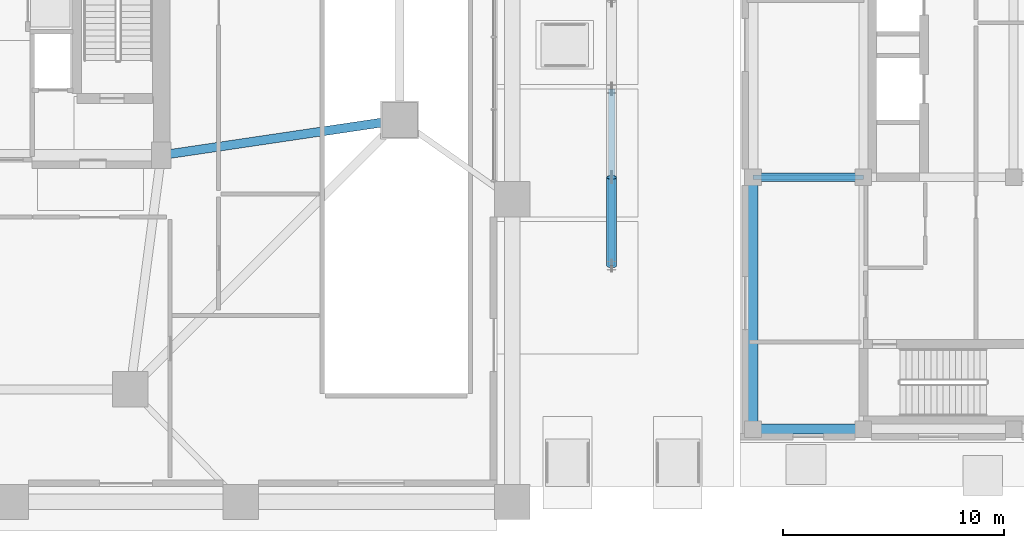
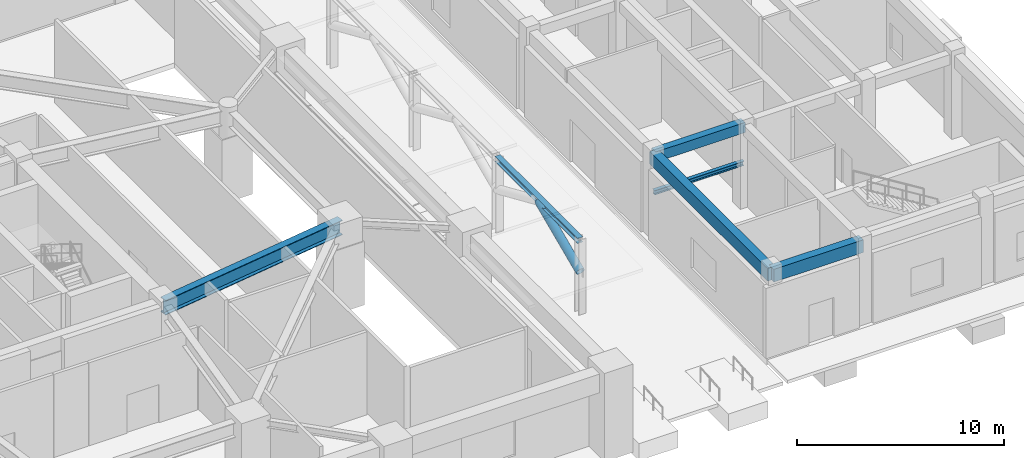
# One storey, part 11 of 27: 6 beams, 1 member.
"""IFC4 building model written with IfcOpenShell, lengths in metres."""

from ifc_helpers import new_model, si_unit, direction, frame, origin, origin_2d, place, context, subcontext, project, spatial, rectangle, hollow_circle, i_section, extrude, material, material_profile, profile_set, type_object, element, save


model = new_model("IFC4")

# Units and contexts
model_context = context("Model", 3, precision=1e-05, world=origin(), true_north=direction((0.0, 1.0)))
body_context = subcontext(model_context, "Body", "Model", "MODEL_VIEW")
ifc_project = project(units=[si_unit("LENGTHUNIT", "METRE"), si_unit("AREAUNIT", "SQUARE_METRE"), si_unit("VOLUMEUNIT", "CUBIC_METRE"), si_unit("PLANEANGLEUNIT", "RADIAN"), si_unit("MASSUNIT", "GRAM", prefix="KILO")], contexts=[model_context])

# Site, building, storey
site_placement = place(None, origin())
site = spatial("IfcSite", under=ifc_project, at=site_placement, CompositionType="ELEMENT")
building_placement = place(site_placement, origin())
building = spatial("IfcBuilding", under=site, at=building_placement, Name="Veraguas Prism Commons", CompositionType="ELEMENT")
storey_placement = place(building_placement, origin())
storey = spatial("IfcBuildingStorey", under=building, at=storey_placement, Name="L00", CompositionType="ELEMENT", Elevation=0.0)

# Beam
ifc_material_1 = material(Name="Concrete C50/60", Category="concrete")
ifc_material_profile_1 = material_profile(ifc_material_1, rectangle(XDim=0.39990234375, YDim=0.60009765625, at=origin_2d()), Name="RC400X600")
ifc_profile_set_1 = profile_set([ifc_material_profile_1], Name="Concrete C50/60")
beam_type_1 = type_object("IfcBeamType", Name="Clinic Secondary Beam RC 400x600", PredefinedType="BEAM", material=ifc_profile_set_1)
beam_1_placement = place(storey_placement, frame((57.60009765625, 16.0, 4.60009765625), z_axis=(1.0, 0.0, 0.0), x_axis=(0.0, 1.0, 0.0)))
element("IfcBeam", 1, at=beam_1_placement, inside=storey, type_object=beam_type_1, Name="Health Centre Beam L00-HCX04", PredefinedType="BEAM", context=body_context, shape_type="SweptSolid", body=[
    extrude(rectangle(XDim=0.39990234375, YDim=0.60009765625, at=origin_2d()), origin(), (0.0, 0.0, 1.0), 5.0),
])

# Member
ifc_material_2 = material(Name="Steel ASTM A500 Grade C", Category="steel")
ifc_material_profile_2 = material_profile(ifc_material_2, hollow_circle(Radius=0.228515625, WallThickness=0.02001953125, at=origin_2d()), Name="CHS457X20")
ifc_profile_set_2 = profile_set([ifc_material_profile_2], Name="Steel ASTM A500 Grade C")
member_type = type_object("IfcMemberType", Name="Concourse Canopy Brace CHS 457x20", PredefinedType="BRACE", material=ifc_profile_set_2)
member_placement = place(storey_placement, frame((51.199951171875, 12.0, 2.39990234375), z_axis=(0.0, 0.916157334902, 0.40081883402), x_axis=(-1.0, 0.0, 0.0)))
element("IfcMember", 2, at=member_placement, inside=storey, type_object=member_type, Name="Plaza Canopy Pipe Brace 01", PredefinedType="BRACE", context=body_context, shape_type="SweptSolid", body=[
    extrude(hollow_circle(Radius=0.228515625, WallThickness=0.02001953125, at=origin_2d()), origin(), (0.0, 0.0, 1.0), 4.365966796875),
])

# Beams
ifc_material_3 = material(Name="Steel ASTM A992 Grade 50", Category="steel")
ifc_material_profile_3 = material_profile(ifc_material_3, i_section(OverallWidth=0.403076171875, OverallDepth=0.867919921875, WebThickness=0.02099609375, FlangeThickness=0.03564453125, at=origin_2d()), Name="W840X359")
ifc_profile_set_3 = profile_set([ifc_material_profile_3], Name="Steel ASTM A992 Grade 50")
beam_type_2 = type_object("IfcBeamType", Name="Concourse Primary Girder W840x359", PredefinedType="BEAM", material=ifc_profile_set_3)
beam_2_placement = place(storey_placement, frame((41.60009765625, 18.60009765625, 4.466064453125), z_axis=(-0.989202261707, -0.146556765224, 0.0), x_axis=(0.146556765224, -0.989202261707, 0.0)))
element("IfcBeam", 3, at=beam_2_placement, inside=storey, type_object=beam_type_2, Name="Concourse Radial Girder L00-TMR01", PredefinedType="BEAM", context=body_context, shape_type="SweptSolid", body=[
    extrude(i_section(OverallWidth=0.403076171875, OverallDepth=0.867919921875, WebThickness=0.02099609375, FlangeThickness=0.03564453125, at=origin_2d()), origin(), (0.0, 0.0, 1.0), 10.91796875),
])
ifc_material_profile_4 = material_profile(ifc_material_1, rectangle(XDim=0.449951171875, YDim=0.75, at=origin_2d()), Name="RC450X750")
ifc_profile_set_4 = profile_set([ifc_material_profile_4], Name="Concrete C50/60")
beam_type_3 = type_object("IfcBeamType", Name="Perimeter Spandrel Upper RC 450x750", PredefinedType="SPANDREL", material=ifc_profile_set_4)
beam_3_placement = place(storey_placement, frame((57.60009765625, 4.60009765625, 4.52490234375), z_axis=(1.0, 0.0, 0.0), x_axis=(0.0, 1.0, 0.0)))
element("IfcBeam", 4, at=beam_3_placement, inside=storey, type_object=beam_type_3, Name="Health Centre Beam L00-HCX01", PredefinedType="SPANDREL", context=body_context, shape_type="SweptSolid", body=[
    extrude(rectangle(XDim=0.449951171875, YDim=0.75, at=origin_2d()), origin(), (0.0, 0.0, 1.0), 5.0),
])
beam_4_placement = place(storey_placement, frame((57.60009765625, 4.60009765625, 4.52490234375), z_axis=(0.0, 1.0, 0.0), x_axis=(-1.0, 0.0, 0.0)))
element("IfcBeam", 5, at=beam_4_placement, inside=storey, type_object=beam_type_3, Name="Health Centre Beam L00-HCY13", PredefinedType="SPANDREL", context=body_context, shape_type="SweptSolid", body=[
    extrude(rectangle(XDim=0.449951171875, YDim=0.75, at=origin_2d()), origin(), (0.0, 0.0, 1.0), 11.39990234375),
])
ifc_material_profile_5 = material_profile(ifc_material_3, i_section(OverallWidth=0.202880859375, OverallDepth=0.251953125, WebThickness=0.008056640625, FlangeThickness=0.013427734375, at=origin_2d()), Name="W250X58")
ifc_profile_set_5 = profile_set([ifc_material_profile_5], Name="Steel ASTM A992 Grade 50")
beam_type_4 = type_object("IfcBeamType", Name="Structural Opening Lintel W250x58", PredefinedType="LINTEL", material=ifc_profile_set_5)
beam_5_placement = place(storey_placement, frame((57.60009765625, 16.0, 2.424072265625), z_axis=(1.0, 0.0, 0.0), x_axis=(0.0, 1.0, 0.0)))
element("IfcBeam", 6, at=beam_5_placement, inside=storey, type_object=beam_type_4, Name="Clinic Opening Lintel Beam L00-LN01", PredefinedType="LINTEL", context=body_context, shape_type="SweptSolid", body=[
    extrude(i_section(OverallWidth=0.202880859375, OverallDepth=0.251953125, WebThickness=0.008056640625, FlangeThickness=0.013427734375, at=origin_2d()), origin(), (0.0, 0.0, 1.0), 5.0),
])
ifc_material_profile_6 = material_profile(ifc_material_3, i_section(OverallWidth=0.305908203125, OverallDepth=0.31103515625, WebThickness=0.010986328125, FlangeThickness=0.01708984375, at=origin_2d()), Name="W310X107")
ifc_profile_set_6 = profile_set([ifc_material_profile_6], Name="Steel ASTM A992 Grade 50")
beam_type_5 = type_object("IfcBeamType", Name="Terrace Deck Joist W310x107", PredefinedType="JOIST", material=ifc_profile_set_6)
beam_6_placement = place(storey_placement, frame((51.199951171875, 12.0, 4.244384765625), z_axis=(0.0, 1.0, 0.0), x_axis=(-1.0, 0.0, 0.0)))
element("IfcBeam", 7, at=beam_6_placement, inside=storey, type_object=beam_type_5, Name="Plaza Canopy Beam CNB01", PredefinedType="JOIST", context=body_context, shape_type="SweptSolid", body=[
    extrude(i_section(OverallWidth=0.305908203125, OverallDepth=0.31103515625, WebThickness=0.010986328125, FlangeThickness=0.01708984375, at=origin_2d()), origin(), (0.0, 0.0, 1.0), 8.0),
])

save(model, "model.ifc")
